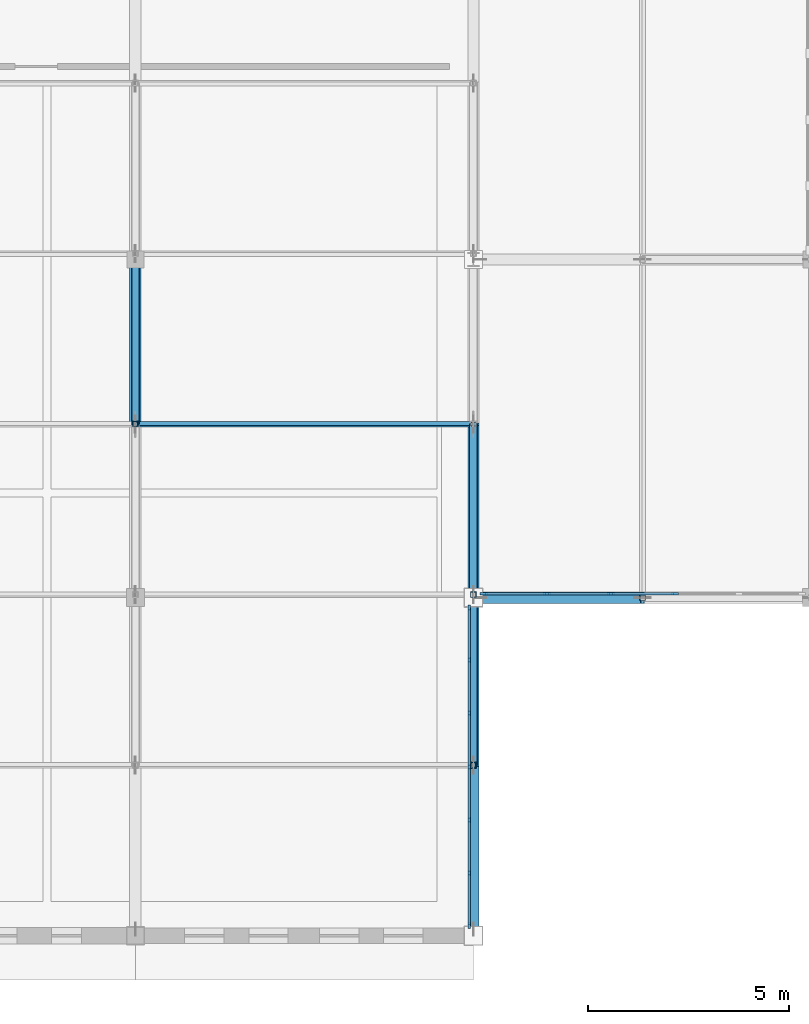
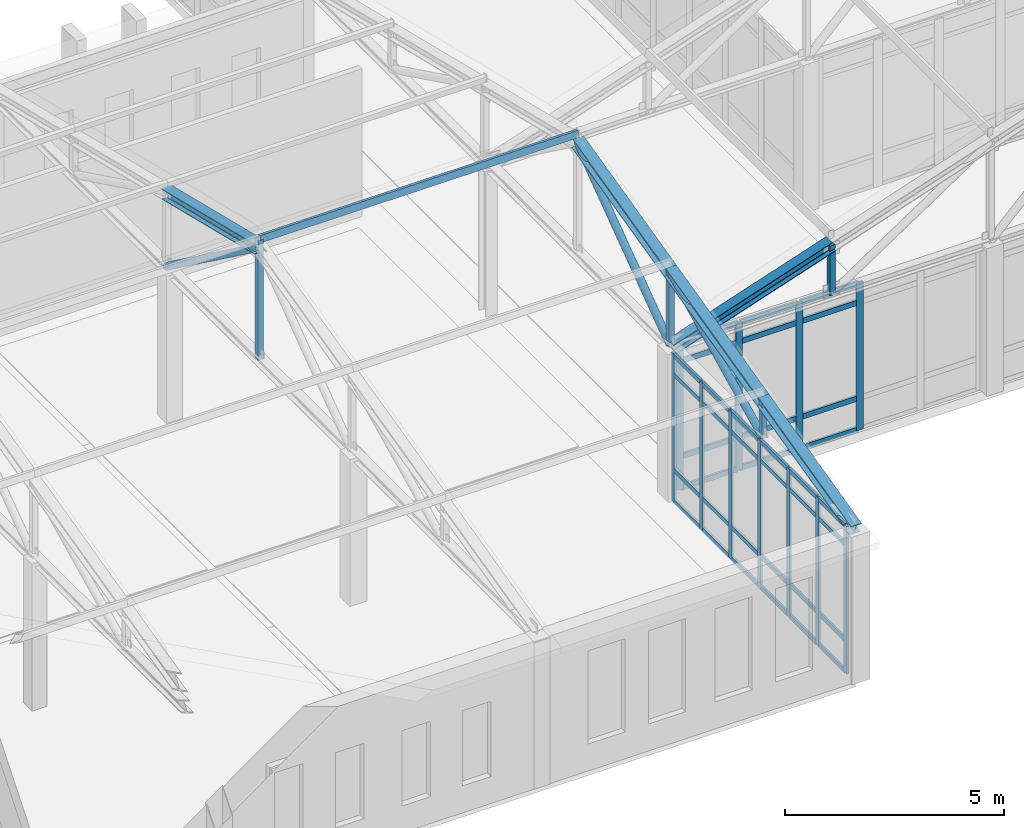
# One storey, part 31 of 192: 60 members, 2 elements without a shape of their own.
"""IFC4 building model written with IfcOpenShell, lengths in metres."""

import ifcopenshell
import ifcopenshell.guid

model = None  # the IFC model being written
_history = None  # IfcOwnerHistory: only IFC2X3 demands one
_inside = {}  # id of a spatial element -> (the spatial element, [elements in it])
_under = {}  # id of a project, library or spatial element -> (it, [spatial elements below it])
_declared = {}  # id of a project -> (the project, [libraries it declares])
_typed = {}  # id of a type object -> (the type object, [elements of that type])
_made_of = {}  # id of a material, layer set ... -> (it, [elements and type objects made of it])


def new_model(schema):
    """Start an empty IFC model of exactly this schema.

    Asked for "IFC4X3", IfcOpenShell would pick the latest addendum, in which some entities
    have other attributes; the version numbers below select the first issue.
    IFC2X3 requires an IfcOwnerHistory on every rooted entity: one is made here for all.
    """
    global model, _history
    if schema == "IFC4X3":
        model = ifcopenshell.file(schema_version=(4, 3, 0, 0))
    else:
        model = ifcopenshell.file(schema=schema)
    _inside.clear()
    _under.clear()
    _declared.clear()
    _typed.clear()
    _made_of.clear()
    _history = None
    if model.schema == "IFC2X3":
        org = make("IfcOrganization", Name="unknown")
        user = make(
            "IfcPersonAndOrganization",
            ThePerson=make("IfcPerson", FamilyName="unknown"),
            TheOrganization=org,
        )
        app = make(
            "IfcApplication",
            ApplicationDeveloper=org,
            Version="unknown",
            ApplicationFullName="unknown",
            ApplicationIdentifier="unknown",
        )
        _history = make(
            "IfcOwnerHistory",
            OwningUser=user,
            OwningApplication=app,
            ChangeAction="ADDED",
            CreationDate=0,
        )
    return model


def make(cls, **values):
    """One entity of the class cls with the attributes given. An attribute that is None is left unset."""
    return model.create_entity(
        cls, **{name: value for name, value in values.items() if value is not None}
    )


def rooted(cls, **values):
    """An entity with a GlobalId (a new one), such as an element, a storey or a relation."""
    return make(cls, GlobalId=ifcopenshell.guid.new(), OwnerHistory=_history, **values)


def si_unit(unit_type, name, prefix=None):
    """IfcSIUnit, for example si_unit("LENGTHUNIT", "METRE", prefix="MILLI")."""
    return make("IfcSIUnit", UnitType=unit_type, Prefix=prefix, Name=name)


def assignment(units):
    """IfcUnitAssignment: the units of a project."""
    return None if units is None else make("IfcUnitAssignment", Units=units)


def point(xyz):
    """IfcCartesianPoint."""
    return None if xyz is None else make("IfcCartesianPoint", Coordinates=xyz)


def direction(xyz):
    """IfcDirection."""
    return None if xyz is None else make("IfcDirection", DirectionRatios=xyz)


def frame(location, z_axis=None, x_axis=None):
    """IfcAxis2Placement3D, a coordinate frame: its origin and axes. An axis left out is left unset."""
    return make(
        "IfcAxis2Placement3D",
        Location=point(location),
        Axis=direction(z_axis),
        RefDirection=direction(x_axis),
    )


def frame_2d(location, x_axis=None):
    """IfcAxis2Placement2D, a coordinate frame in the plane: its origin and x axis."""
    return make(
        "IfcAxis2Placement2D", Location=point(location), RefDirection=direction(x_axis)
    )


def origin():
    """The frame at (0, 0, 0) with its axes left unset."""
    return frame((0.0, 0.0, 0.0))


def origin_2d():
    """The frame at (0, 0) in the plane with its x axis left unset."""
    return frame_2d((0.0, 0.0))


def place(relative_to, where):
    """IfcLocalPlacement: puts the frame where relative to a parent placement (None: the world)."""
    return make(
        "IfcLocalPlacement", PlacementRelTo=relative_to, RelativePlacement=where
    )


def context(
    kind, dimensions, precision=None, world=None, true_north=None, identifier=None
):
    """IfcGeometricRepresentationContext, for example the 3D "Model" context."""
    return make(
        "IfcGeometricRepresentationContext",
        ContextIdentifier=identifier,
        ContextType=kind,
        CoordinateSpaceDimension=dimensions,
        Precision=precision,
        WorldCoordinateSystem=world,
        TrueNorth=true_north,
    )


def subcontext(parent, identifier, kind, view, scale=None):
    """IfcGeometricRepresentationSubContext, for example "Body" below "Model"."""
    return make(
        "IfcGeometricRepresentationSubContext",
        ContextIdentifier=identifier,
        ContextType=kind,
        ParentContext=parent,
        TargetScale=scale,
        TargetView=view,
    )


def project(units=None, contexts=None):
    """IfcProject with its units and contexts."""
    return rooted(
        "IfcProject",
        Name="project",
        RepresentationContexts=contexts,
        UnitsInContext=assignment(units),
    )


def spatial(cls, under=None, at=None, **own):
    """A site, building, storey or space (cls), placed at a placement, below another one or the project."""
    s = rooted(cls, ObjectPlacement=at, **own)
    if under is not None:
        _under.setdefault(under.id(), (under, []))[1].append(s)
    return s


def profile(cls, at=None, kind="AREA", **sizes):
    """A parametric profile (cls). Its sizes go by their IFC names, for example OverallWidth=200.0."""
    return make(cls, ProfileType=kind, Position=at, **sizes)


def rectangle(**sizes):
    """IfcRectangleProfileDef."""
    return profile("IfcRectangleProfileDef", **sizes)


def hollow_rectangle(**sizes):
    """IfcRectangleHollowProfileDef."""
    return profile("IfcRectangleHollowProfileDef", **sizes)


def hollow_circle(**sizes):
    """IfcCircleHollowProfileDef."""
    return profile("IfcCircleHollowProfileDef", **sizes)


def i_section(**sizes):
    """IfcIShapeProfileDef."""
    return profile("IfcIShapeProfileDef", **sizes)


def extrude(swept, where, along, depth):
    """IfcExtrudedAreaSolid: the profile swept, set in the frame where, extruded along a direction by depth."""
    return make(
        "IfcExtrudedAreaSolid",
        SweptArea=swept,
        Position=where,
        ExtrudedDirection=direction(along),
        Depth=depth,
    )


def shape(context_of_items, identifier, shape_type, items):
    """IfcShapeRepresentation: the items that make up one representation, for example the "Body"."""
    return make(
        "IfcShapeRepresentation",
        ContextOfItems=context_of_items,
        RepresentationIdentifier=identifier,
        RepresentationType=shape_type,
        Items=items,
    )


def material(Name=None, Category=None):
    """IfcMaterial."""
    return make("IfcMaterial", Name=Name, Category=Category)


def layer(
    of_material, thickness, ventilated=None, Name=None, Category=None, Priority=None
):
    """IfcMaterialLayer: one layer of a wall or slab, of a material (None: an air gap)."""
    return make(
        "IfcMaterialLayer",
        Material=of_material,
        LayerThickness=thickness,
        IsVentilated=ventilated,
        Name=Name,
        Category=Category,
        Priority=Priority,
    )


def layer_set(layers, Name=None):
    """IfcMaterialLayerSet."""
    return make("IfcMaterialLayerSet", MaterialLayers=layers, LayerSetName=Name)


def material_profile(
    of_material, cross_section, Name=None, Category=None, Priority=None
):
    """IfcMaterialProfile: a cross section and its material."""
    return make(
        "IfcMaterialProfile",
        Name=Name,
        Material=of_material,
        Profile=cross_section,
        Priority=Priority,
        Category=Category,
    )


def profile_set(profiles, Name=None, composite=None):
    """IfcMaterialProfileSet."""
    return make(
        "IfcMaterialProfileSet",
        Name=Name,
        MaterialProfiles=profiles,
        CompositeProfile=composite,
    )


def made_of(thing, what):
    """Note that an element or type object is made of a material, layer set ...; save() writes the relation."""
    if what is not None:
        _made_of.setdefault(what.id(), (what, []))[1].append(thing)
    return thing


def type_object(cls, material=None, **own):
    """A type object (cls), such as IfcWallType, which elements share."""
    return made_of(rooted(cls, **own), material)


def element(
    cls,
    number,
    at=None,
    inside=None,
    cuts=None,
    type_object=None,
    material=None,
    context=None,
    identifier="Body",
    shape_type=None,
    held_by="IfcProductDefinitionShape",
    body=None,
    shapes=None,
    **own,
):
    """One element of the class cls, such as IfcWall. Its Tag is "e" and its number.

    at: its placement. inside: the storey or other place that contains it. cuts: it is an
    opening in that element (IfcRelVoidsElement). A single representation is given by context,
    identifier, shape_type and body (its items); several are given by shapes. held_by: the class
    of the entity that holds the representations. save() writes the other relations.
    """
    e = rooted(cls, Tag="e%d" % number, ObjectPlacement=at, **own)
    if body is not None:
        shapes = [shape(context, identifier, shape_type, body)]
    if shapes is not None:
        e.Representation = make(held_by, Representations=shapes)
    if inside is not None:
        _inside.setdefault(inside.id(), (inside, []))[1].append(e)
    if cuts is not None:
        rooted(
            "IfcRelVoidsElement", RelatingBuildingElement=cuts, RelatedOpeningElement=e
        )
    if type_object is not None:
        _typed.setdefault(type_object.id(), (type_object, []))[1].append(e)
    return made_of(e, material)


def aggregate(whole, parts):
    """IfcRelAggregates: a whole, such as a stair, and the parts it consists of."""
    return rooted("IfcRelAggregates", RelatingObject=whole, RelatedObjects=parts)


def save(model, path):
    """Write the relations noted so far, then the file.

    IfcRelAggregates (storeys below a building ...), IfcRelContainedInSpatialStructure (elements
    in a storey), IfcRelDefinesByType, IfcRelAssociatesMaterial and IfcRelDeclares: one each for
    every whole, place, type object, material and project.
    """
    for whole, parts in _under.values():
        aggregate(whole, parts)
    for where, things in _inside.values():
        rooted(
            "IfcRelContainedInSpatialStructure",
            RelatedElements=things,
            RelatingStructure=where,
        )
    for kind, things in _typed.values():
        rooted("IfcRelDefinesByType", RelatedObjects=things, RelatingType=kind)
    for what, things in _made_of.values():
        rooted("IfcRelAssociatesMaterial", RelatedObjects=things, RelatingMaterial=what)
    for by, libraries in _declared.values():
        rooted("IfcRelDeclares", RelatingContext=by, RelatedDefinitions=libraries)
    model.write(path)


model = new_model("IFC4")

# Units and contexts
model_context = context("Model", 3, precision=1e-05, world=origin(), true_north=direction((0.0, 1.0)))
body_context = subcontext(model_context, "Body", "Model", "MODEL_VIEW")
ifc_project = project(units=[si_unit("LENGTHUNIT", "METRE"), si_unit("AREAUNIT", "SQUARE_METRE"), si_unit("VOLUMEUNIT", "CUBIC_METRE"), si_unit("PLANEANGLEUNIT", "RADIAN"), si_unit("MASSUNIT", "GRAM", prefix="KILO")], contexts=[model_context])

# Site, building, storey
site_placement = place(None, origin())
site = spatial("IfcSite", under=ifc_project, at=site_placement, CompositionType="ELEMENT")
building_placement = place(site_placement, origin())
building = spatial("IfcBuilding", under=site, at=building_placement, Name="Kveldsbrygga Polytechnic", CompositionType="ELEMENT")
storey_placement = place(building_placement, frame((0.0, 0.0, 5.43994140625)))
storey = spatial("IfcBuildingStorey", under=building, at=storey_placement, Name="L01", CompositionType="ELEMENT", Elevation=5.43994140625)

# Curtain wall, members
ifc_material_1 = material(Name="Anodised aluminium AW-6060", Category="aluminium")
ifc_layer_1 = layer(ifc_material_1, 0.179931640625)
ifc_layer_set_1 = layer_set([ifc_layer_1], Name="Anodised aluminium AW-6060")
curtain_wall_type_1 = type_object("IfcCurtainWallType", Name="CW-CONC-A", PredefinedType="USERDEFINED", material=ifc_layer_set_1)
curtain_wall_1_placement = place(storey_placement, origin())
curtain_wall_1 = element("IfcCurtainWall", 1, at=curtain_wall_1_placement, inside=storey, type_object=curtain_wall_type_1, Name="Curtain Wall CW-L01-Y-06-00", ObjectType="UNITISED CURTAIN WALL", PredefinedType="USERDEFINED")
ifc_material_profile_1 = material_profile(ifc_material_1, rectangle(XDim=0.06005859375, YDim=0.139892578125, at=origin_2d()), Name="ALU 60x140")
ifc_profile_set_1 = profile_set([ifc_material_profile_1], Name="Anodised aluminium AW-6060")
member_type_1 = type_object("IfcMemberType", Name="CW-MUL-140", PredefinedType="MULLION", material=ifc_profile_set_1)
member_1_placement = place(storey_placement, frame((50.300048828125, 0.2548828125, 0.0), z_axis=(0.0, 0.0, 1.0), x_axis=(-1.0, 0.0, 0.0)))
member_1 = element("IfcMember", 2, at=member_1_placement, type_object=member_type_1, Name="CW-01 mullion 1", PredefinedType="MULLION", context=body_context, shape_type="SweptSolid", body=[
    extrude(rectangle(XDim=0.06005859375, YDim=0.139892578125, at=origin_2d()), origin(), (0.0, 0.0, 1.0), 4.1201171875),
])
member_2_placement = place(storey_placement, frame((50.300048828125, 1.550048828125, 0.0), z_axis=(0.0, 0.0, 1.0), x_axis=(-1.0, 0.0, 0.0)))
member_2 = element("IfcMember", 3, at=member_2_placement, type_object=member_type_1, Name="CW-01 mullion 2", PredefinedType="MULLION", context=body_context, shape_type="SweptSolid", body=[
    extrude(rectangle(XDim=0.06005859375, YDim=0.139892578125, at=origin_2d()), origin(), (0.0, 0.0, 1.0), 4.1201171875),
])
member_3_placement = place(storey_placement, frame((50.300048828125, 2.875, 0.0), z_axis=(0.0, 0.0, 1.0), x_axis=(-1.0, 0.0, 0.0)))
member_3 = element("IfcMember", 4, at=member_3_placement, type_object=member_type_1, Name="CW-01 mullion 3", PredefinedType="MULLION", context=body_context, shape_type="SweptSolid", body=[
    extrude(rectangle(XDim=0.06005859375, YDim=0.139892578125, at=origin_2d()), origin(), (0.0, 0.0, 1.0), 4.1201171875),
])
member_4_placement = place(storey_placement, frame((50.300048828125, 4.199951171875, 0.0), z_axis=(0.0, 0.0, 1.0), x_axis=(-1.0, 0.0, 0.0)))
member_4 = element("IfcMember", 5, at=member_4_placement, type_object=member_type_1, Name="CW-01 mullion 4", PredefinedType="MULLION", context=body_context, shape_type="SweptSolid", body=[
    extrude(rectangle(XDim=0.06005859375, YDim=0.139892578125, at=origin_2d()), origin(), (0.0, 0.0, 1.0), 4.1201171875),
])
member_5_placement = place(storey_placement, frame((50.300048828125, 5.52490234375, 0.0), z_axis=(0.0, 0.0, 1.0), x_axis=(-1.0, 0.0, 0.0)))
member_5 = element("IfcMember", 6, at=member_5_placement, type_object=member_type_1, Name="CW-01 mullion 5", PredefinedType="MULLION", context=body_context, shape_type="SweptSolid", body=[
    extrude(rectangle(XDim=0.06005859375, YDim=0.139892578125, at=origin_2d()), origin(), (0.0, 0.0, 1.0), 4.1201171875),
])
member_6_placement = place(storey_placement, frame((50.300048828125, 6.85009765625, 0.0), z_axis=(0.0, 0.0, 1.0), x_axis=(-1.0, 0.0, 0.0)))
member_6 = element("IfcMember", 7, at=member_6_placement, type_object=member_type_1, Name="CW-01 mullion 6", PredefinedType="MULLION", context=body_context, shape_type="SweptSolid", body=[
    extrude(rectangle(XDim=0.06005859375, YDim=0.139892578125, at=origin_2d()), origin(), (0.0, 0.0, 1.0), 4.1201171875),
])
member_7_placement = place(storey_placement, frame((50.300048828125, 8.14501953125, 0.0), z_axis=(0.0, 0.0, 1.0), x_axis=(-1.0, 0.0, 0.0)))
member_7 = element("IfcMember", 8, at=member_7_placement, type_object=member_type_1, Name="CW-01 mullion 7", PredefinedType="MULLION", context=body_context, shape_type="SweptSolid", body=[
    extrude(rectangle(XDim=0.06005859375, YDim=0.139892578125, at=origin_2d()), origin(), (0.0, 0.0, 1.0), 4.1201171875),
])

ifc_layer_2 = layer(ifc_material_1, 0.199951171875)
ifc_layer_set_2 = layer_set([ifc_layer_2], Name="Anodised aluminium AW-6060")
curtain_wall_type_2 = type_object("IfcCurtainWallType", Name="CW-CONC-B", PredefinedType="USERDEFINED", material=ifc_layer_set_2)
curtain_wall_2_placement = place(storey_placement, origin())
curtain_wall_2 = element("IfcCurtainWall", 9, at=curtain_wall_2_placement, inside=storey, type_object=curtain_wall_type_2, Name="Curtain Wall CW-L01-X-06-01", ObjectType="UNITISED CURTAIN WALL", PredefinedType="USERDEFINED")
ifc_material_profile_2 = material_profile(ifc_material_1, rectangle(XDim=0.06005859375, YDim=0.179931640625, at=origin_2d()), Name="ALU 60x180")
ifc_profile_set_2 = profile_set([ifc_material_profile_2], Name="Anodised aluminium AW-6060")
member_type_2 = type_object("IfcMemberType", Name="CW-MUL-180", PredefinedType="MULLION", material=ifc_profile_set_2)
member_8_placement = place(storey_placement, frame((50.655029296875, 8.5, 0.0), z_axis=(0.0, 0.0, 1.0), x_axis=(0.0, 1.0, 0.0)))
member_8 = element("IfcMember", 10, at=member_8_placement, type_object=member_type_2, Name="CW-02 mullion 1", PredefinedType="MULLION", context=body_context, shape_type="SweptSolid", body=[
    extrude(rectangle(XDim=0.06005859375, YDim=0.179931640625, at=origin_2d()), origin(), (0.0, 0.0, 1.0), 4.1201171875),
])
member_9_placement = place(storey_placement, frame((52.218017578125, 8.5, 0.0), z_axis=(0.0, 0.0, 1.0), x_axis=(0.0, 1.0, 0.0)))
member_9 = element("IfcMember", 11, at=member_9_placement, type_object=member_type_2, Name="CW-02 mullion 2", PredefinedType="MULLION", context=body_context, shape_type="SweptSolid", body=[
    extrude(rectangle(XDim=0.06005859375, YDim=0.179931640625, at=origin_2d()), origin(), (0.0, 0.0, 1.0), 4.1201171875),
])
member_10_placement = place(storey_placement, frame((53.81103515625, 8.5, 0.0), z_axis=(0.0, 0.0, 1.0), x_axis=(0.0, 1.0, 0.0)))
member_10 = element("IfcMember", 12, at=member_10_placement, type_object=member_type_2, Name="CW-02 mullion 3", PredefinedType="MULLION", context=body_context, shape_type="SweptSolid", body=[
    extrude(rectangle(XDim=0.06005859375, YDim=0.179931640625, at=origin_2d()), origin(), (0.0, 0.0, 1.0), 4.1201171875),
])
member_11_placement = place(storey_placement, frame((55.404052734375, 8.5, 0.0), z_axis=(0.0, 0.0, 1.0), x_axis=(0.0, 1.0, 0.0)))
member_11 = element("IfcMember", 13, at=member_11_placement, type_object=member_type_2, Name="CW-02 mullion 4", PredefinedType="MULLION", context=body_context, shape_type="SweptSolid", body=[
    extrude(rectangle(XDim=0.06005859375, YDim=0.179931640625, at=origin_2d()), origin(), (0.0, 0.0, 1.0), 4.1201171875),
])

# Member
ifc_material_profile_3 = material_profile(ifc_material_1, rectangle(XDim=0.06005859375, YDim=0.1201171875, at=origin_2d()), Name="ALU 60x120")
ifc_profile_set_3 = profile_set([ifc_material_profile_3], Name="Anodised aluminium AW-6060")
member_type_3 = type_object("IfcMemberType", Name="CW-TRN-120", PredefinedType="USERDEFINED", material=ifc_profile_set_3)
member_12_placement = place(storey_placement, frame((50.300048828125, 0.284912109375, 0.030029296875), z_axis=(0.0, 1.0, 0.0), x_axis=(-1.0, 0.0, 0.0)))
member_12 = element("IfcMember", 14, at=member_12_placement, type_object=member_type_3, Name="CW-01 transom 1.1", ObjectType="TRANSOM", PredefinedType="USERDEFINED", context=body_context, shape_type="SweptSolid", body=[
    extrude(rectangle(XDim=0.06005859375, YDim=0.1201171875, at=origin_2d()), origin(), (0.0, 0.0, 1.0), 1.235107421875),
])

member_13_placement = place(storey_placement, frame((50.300048828125, 0.284912109375, 0.900146484375), z_axis=(0.0, 1.0, 0.0), x_axis=(-1.0, 0.0, 0.0)))
member_13 = element("IfcMember", 15, at=member_13_placement, type_object=member_type_3, Name="CW-01 transom 1.2", ObjectType="TRANSOM", PredefinedType="USERDEFINED", context=body_context, shape_type="SweptSolid", body=[
    extrude(rectangle(XDim=0.06005859375, YDim=0.1201171875, at=origin_2d()), origin(), (0.0, 0.0, 1.0), 1.235107421875),
])

member_14_placement = place(storey_placement, frame((50.300048828125, 0.284912109375, 3.570068359375), z_axis=(0.0, 1.0, 0.0), x_axis=(-1.0, 0.0, 0.0)))
member_14 = element("IfcMember", 16, at=member_14_placement, type_object=member_type_3, Name="CW-01 transom 1.3", ObjectType="TRANSOM", PredefinedType="USERDEFINED", context=body_context, shape_type="SweptSolid", body=[
    extrude(rectangle(XDim=0.06005859375, YDim=0.1201171875, at=origin_2d()), origin(), (0.0, 0.0, 1.0), 1.235107421875),
])

member_15_placement = place(storey_placement, frame((50.300048828125, 0.284912109375, 4.090087890625), z_axis=(0.0, 1.0, 0.0), x_axis=(-1.0, 0.0, 0.0)))
member_15 = element("IfcMember", 17, at=member_15_placement, type_object=member_type_3, Name="CW-01 transom 1.4", ObjectType="TRANSOM", PredefinedType="USERDEFINED", context=body_context, shape_type="SweptSolid", body=[
    extrude(rectangle(XDim=0.06005859375, YDim=0.1201171875, at=origin_2d()), origin(), (0.0, 0.0, 1.0), 1.235107421875),
])

member_16_placement = place(storey_placement, frame((50.300048828125, 1.580078125, 0.030029296875), z_axis=(0.0, 1.0, 0.0), x_axis=(-1.0, 0.0, 0.0)))
member_16 = element("IfcMember", 18, at=member_16_placement, type_object=member_type_3, Name="CW-01 transom 2.1", ObjectType="TRANSOM", PredefinedType="USERDEFINED", context=body_context, shape_type="SweptSolid", body=[
    extrude(rectangle(XDim=0.06005859375, YDim=0.1201171875, at=origin_2d()), origin(), (0.0, 0.0, 1.0), 1.264892578125),
])

member_17_placement = place(storey_placement, frame((50.300048828125, 1.580078125, 0.900146484375), z_axis=(0.0, 1.0, 0.0), x_axis=(-1.0, 0.0, 0.0)))
member_17 = element("IfcMember", 19, at=member_17_placement, type_object=member_type_3, Name="CW-01 transom 2.2", ObjectType="TRANSOM", PredefinedType="USERDEFINED", context=body_context, shape_type="SweptSolid", body=[
    extrude(rectangle(XDim=0.06005859375, YDim=0.1201171875, at=origin_2d()), origin(), (0.0, 0.0, 1.0), 1.264892578125),
])

member_18_placement = place(storey_placement, frame((50.300048828125, 1.580078125, 3.570068359375), z_axis=(0.0, 1.0, 0.0), x_axis=(-1.0, 0.0, 0.0)))
member_18 = element("IfcMember", 20, at=member_18_placement, type_object=member_type_3, Name="CW-01 transom 2.3", ObjectType="TRANSOM", PredefinedType="USERDEFINED", context=body_context, shape_type="SweptSolid", body=[
    extrude(rectangle(XDim=0.06005859375, YDim=0.1201171875, at=origin_2d()), origin(), (0.0, 0.0, 1.0), 1.264892578125),
])

member_19_placement = place(storey_placement, frame((50.300048828125, 1.580078125, 4.090087890625), z_axis=(0.0, 1.0, 0.0), x_axis=(-1.0, 0.0, 0.0)))
member_19 = element("IfcMember", 21, at=member_19_placement, type_object=member_type_3, Name="CW-01 transom 2.4", ObjectType="TRANSOM", PredefinedType="USERDEFINED", context=body_context, shape_type="SweptSolid", body=[
    extrude(rectangle(XDim=0.06005859375, YDim=0.1201171875, at=origin_2d()), origin(), (0.0, 0.0, 1.0), 1.264892578125),
])

member_20_placement = place(storey_placement, frame((50.300048828125, 2.905029296875, 0.030029296875), z_axis=(0.0, 1.0, 0.0), x_axis=(-1.0, 0.0, 0.0)))
member_20 = element("IfcMember", 22, at=member_20_placement, type_object=member_type_3, Name="CW-01 transom 3.1", ObjectType="TRANSOM", PredefinedType="USERDEFINED", context=body_context, shape_type="SweptSolid", body=[
    extrude(rectangle(XDim=0.06005859375, YDim=0.1201171875, at=origin_2d()), origin(), (0.0, 0.0, 1.0), 1.264892578125),
])

member_21_placement = place(storey_placement, frame((50.300048828125, 2.905029296875, 0.900146484375), z_axis=(0.0, 1.0, 0.0), x_axis=(-1.0, 0.0, 0.0)))
member_21 = element("IfcMember", 23, at=member_21_placement, type_object=member_type_3, Name="CW-01 transom 3.2", ObjectType="TRANSOM", PredefinedType="USERDEFINED", context=body_context, shape_type="SweptSolid", body=[
    extrude(rectangle(XDim=0.06005859375, YDim=0.1201171875, at=origin_2d()), origin(), (0.0, 0.0, 1.0), 1.264892578125),
])

member_22_placement = place(storey_placement, frame((50.300048828125, 2.905029296875, 3.570068359375), z_axis=(0.0, 1.0, 0.0), x_axis=(-1.0, 0.0, 0.0)))
member_22 = element("IfcMember", 24, at=member_22_placement, type_object=member_type_3, Name="CW-01 transom 3.3", ObjectType="TRANSOM", PredefinedType="USERDEFINED", context=body_context, shape_type="SweptSolid", body=[
    extrude(rectangle(XDim=0.06005859375, YDim=0.1201171875, at=origin_2d()), origin(), (0.0, 0.0, 1.0), 1.264892578125),
])

member_23_placement = place(storey_placement, frame((50.300048828125, 2.905029296875, 4.090087890625), z_axis=(0.0, 1.0, 0.0), x_axis=(-1.0, 0.0, 0.0)))
member_23 = element("IfcMember", 25, at=member_23_placement, type_object=member_type_3, Name="CW-01 transom 3.4", ObjectType="TRANSOM", PredefinedType="USERDEFINED", context=body_context, shape_type="SweptSolid", body=[
    extrude(rectangle(XDim=0.06005859375, YDim=0.1201171875, at=origin_2d()), origin(), (0.0, 0.0, 1.0), 1.264892578125),
])

member_24_placement = place(storey_placement, frame((50.300048828125, 4.22998046875, 0.030029296875), z_axis=(0.0, 1.0, 0.0), x_axis=(-1.0, 0.0, 0.0)))
member_24 = element("IfcMember", 26, at=member_24_placement, type_object=member_type_3, Name="CW-01 transom 4.1", ObjectType="TRANSOM", PredefinedType="USERDEFINED", context=body_context, shape_type="SweptSolid", body=[
    extrude(rectangle(XDim=0.06005859375, YDim=0.1201171875, at=origin_2d()), origin(), (0.0, 0.0, 1.0), 1.26513671875),
])

member_25_placement = place(storey_placement, frame((50.300048828125, 4.22998046875, 0.900146484375), z_axis=(0.0, 1.0, 0.0), x_axis=(-1.0, 0.0, 0.0)))
member_25 = element("IfcMember", 27, at=member_25_placement, type_object=member_type_3, Name="CW-01 transom 4.2", ObjectType="TRANSOM", PredefinedType="USERDEFINED", context=body_context, shape_type="SweptSolid", body=[
    extrude(rectangle(XDim=0.06005859375, YDim=0.1201171875, at=origin_2d()), origin(), (0.0, 0.0, 1.0), 1.26513671875),
])

member_26_placement = place(storey_placement, frame((50.300048828125, 4.22998046875, 3.570068359375), z_axis=(0.0, 1.0, 0.0), x_axis=(-1.0, 0.0, 0.0)))
member_26 = element("IfcMember", 28, at=member_26_placement, type_object=member_type_3, Name="CW-01 transom 4.3", ObjectType="TRANSOM", PredefinedType="USERDEFINED", context=body_context, shape_type="SweptSolid", body=[
    extrude(rectangle(XDim=0.06005859375, YDim=0.1201171875, at=origin_2d()), origin(), (0.0, 0.0, 1.0), 1.26513671875),
])

member_27_placement = place(storey_placement, frame((50.300048828125, 4.22998046875, 4.090087890625), z_axis=(0.0, 1.0, 0.0), x_axis=(-1.0, 0.0, 0.0)))
member_27 = element("IfcMember", 29, at=member_27_placement, type_object=member_type_3, Name="CW-01 transom 4.4", ObjectType="TRANSOM", PredefinedType="USERDEFINED", context=body_context, shape_type="SweptSolid", body=[
    extrude(rectangle(XDim=0.06005859375, YDim=0.1201171875, at=origin_2d()), origin(), (0.0, 0.0, 1.0), 1.26513671875),
])

member_28_placement = place(storey_placement, frame((50.300048828125, 5.554931640625, 0.030029296875), z_axis=(0.0, 1.0, 0.0), x_axis=(-1.0, 0.0, 0.0)))
member_28 = element("IfcMember", 30, at=member_28_placement, type_object=member_type_3, Name="CW-01 transom 5.1", ObjectType="TRANSOM", PredefinedType="USERDEFINED", context=body_context, shape_type="SweptSolid", body=[
    extrude(rectangle(XDim=0.06005859375, YDim=0.1201171875, at=origin_2d()), origin(), (0.0, 0.0, 1.0), 1.26513671875),
])

member_29_placement = place(storey_placement, frame((50.300048828125, 5.554931640625, 0.900146484375), z_axis=(0.0, 1.0, 0.0), x_axis=(-1.0, 0.0, 0.0)))
member_29 = element("IfcMember", 31, at=member_29_placement, type_object=member_type_3, Name="CW-01 transom 5.2", ObjectType="TRANSOM", PredefinedType="USERDEFINED", context=body_context, shape_type="SweptSolid", body=[
    extrude(rectangle(XDim=0.06005859375, YDim=0.1201171875, at=origin_2d()), origin(), (0.0, 0.0, 1.0), 1.26513671875),
])

member_30_placement = place(storey_placement, frame((50.300048828125, 5.554931640625, 3.570068359375), z_axis=(0.0, 1.0, 0.0), x_axis=(-1.0, 0.0, 0.0)))
member_30 = element("IfcMember", 32, at=member_30_placement, type_object=member_type_3, Name="CW-01 transom 5.3", ObjectType="TRANSOM", PredefinedType="USERDEFINED", context=body_context, shape_type="SweptSolid", body=[
    extrude(rectangle(XDim=0.06005859375, YDim=0.1201171875, at=origin_2d()), origin(), (0.0, 0.0, 1.0), 1.26513671875),
])

member_31_placement = place(storey_placement, frame((50.300048828125, 5.554931640625, 4.090087890625), z_axis=(0.0, 1.0, 0.0), x_axis=(-1.0, 0.0, 0.0)))
member_31 = element("IfcMember", 33, at=member_31_placement, type_object=member_type_3, Name="CW-01 transom 5.4", ObjectType="TRANSOM", PredefinedType="USERDEFINED", context=body_context, shape_type="SweptSolid", body=[
    extrude(rectangle(XDim=0.06005859375, YDim=0.1201171875, at=origin_2d()), origin(), (0.0, 0.0, 1.0), 1.26513671875),
])

member_32_placement = place(storey_placement, frame((50.300048828125, 6.8798828125, 0.030029296875), z_axis=(0.0, 1.0, 0.0), x_axis=(-1.0, 0.0, 0.0)))
member_32 = element("IfcMember", 34, at=member_32_placement, type_object=member_type_3, Name="CW-01 transom 6.1", ObjectType="TRANSOM", PredefinedType="USERDEFINED", context=body_context, shape_type="SweptSolid", body=[
    extrude(rectangle(XDim=0.06005859375, YDim=0.1201171875, at=origin_2d()), origin(), (0.0, 0.0, 1.0), 1.235107421875),
])

member_33_placement = place(storey_placement, frame((50.300048828125, 6.8798828125, 0.900146484375), z_axis=(0.0, 1.0, 0.0), x_axis=(-1.0, 0.0, 0.0)))
member_33 = element("IfcMember", 35, at=member_33_placement, type_object=member_type_3, Name="CW-01 transom 6.2", ObjectType="TRANSOM", PredefinedType="USERDEFINED", context=body_context, shape_type="SweptSolid", body=[
    extrude(rectangle(XDim=0.06005859375, YDim=0.1201171875, at=origin_2d()), origin(), (0.0, 0.0, 1.0), 1.235107421875),
])

member_34_placement = place(storey_placement, frame((50.300048828125, 6.8798828125, 3.570068359375), z_axis=(0.0, 1.0, 0.0), x_axis=(-1.0, 0.0, 0.0)))
member_34 = element("IfcMember", 36, at=member_34_placement, type_object=member_type_3, Name="CW-01 transom 6.3", ObjectType="TRANSOM", PredefinedType="USERDEFINED", context=body_context, shape_type="SweptSolid", body=[
    extrude(rectangle(XDim=0.06005859375, YDim=0.1201171875, at=origin_2d()), origin(), (0.0, 0.0, 1.0), 1.235107421875),
])

member_35_placement = place(storey_placement, frame((50.300048828125, 6.8798828125, 4.090087890625), z_axis=(0.0, 1.0, 0.0), x_axis=(-1.0, 0.0, 0.0)))
member_35 = element("IfcMember", 37, at=member_35_placement, type_object=member_type_3, Name="CW-01 transom 6.4", ObjectType="TRANSOM", PredefinedType="USERDEFINED", context=body_context, shape_type="SweptSolid", body=[
    extrude(rectangle(XDim=0.06005859375, YDim=0.1201171875, at=origin_2d()), origin(), (0.0, 0.0, 1.0), 1.235107421875),
])

aggregate(curtain_wall_1, [member_1, member_2, member_3, member_4, member_5, member_6, member_7, member_12, member_13, member_14, member_15, member_16, member_17, member_18, member_19, member_20, member_21, member_22, member_23, member_24, member_25, member_26, member_27, member_28, member_29, member_30, member_31, member_32, member_33, member_34, member_35])

ifc_material_profile_4 = material_profile(ifc_material_1, rectangle(XDim=0.06005859375, YDim=0.14990234375, at=origin_2d()), Name="ALU 60x150")
ifc_profile_set_4 = profile_set([ifc_material_profile_4], Name="Anodised aluminium AW-6060")
member_type_4 = type_object("IfcMemberType", Name="CW-TRN-150", PredefinedType="USERDEFINED", material=ifc_profile_set_4)
member_36_placement = place(storey_placement, frame((50.68505859375, 8.5, 0.030029296875), z_axis=(1.0, 0.0, 0.0), x_axis=(0.0, 1.0, 0.0)))
member_36 = element("IfcMember", 38, at=member_36_placement, type_object=member_type_4, Name="CW-02 transom 1.1", ObjectType="TRANSOM", PredefinedType="USERDEFINED", context=body_context, shape_type="SweptSolid", body=[
    extrude(rectangle(XDim=0.06005859375, YDim=0.14990234375, at=origin_2d()), origin(), (0.0, 0.0, 1.0), 1.5029296875),
])

member_37_placement = place(storey_placement, frame((50.68505859375, 8.5, 0.900146484375), z_axis=(1.0, 0.0, 0.0), x_axis=(0.0, 1.0, 0.0)))
member_37 = element("IfcMember", 39, at=member_37_placement, type_object=member_type_4, Name="CW-02 transom 1.2", ObjectType="TRANSOM", PredefinedType="USERDEFINED", context=body_context, shape_type="SweptSolid", body=[
    extrude(rectangle(XDim=0.06005859375, YDim=0.14990234375, at=origin_2d()), origin(), (0.0, 0.0, 1.0), 1.5029296875),
])

member_38_placement = place(storey_placement, frame((50.68505859375, 8.5, 3.570068359375), z_axis=(1.0, 0.0, 0.0), x_axis=(0.0, 1.0, 0.0)))
member_38 = element("IfcMember", 40, at=member_38_placement, type_object=member_type_4, Name="CW-02 transom 1.3", ObjectType="TRANSOM", PredefinedType="USERDEFINED", context=body_context, shape_type="SweptSolid", body=[
    extrude(rectangle(XDim=0.06005859375, YDim=0.14990234375, at=origin_2d()), origin(), (0.0, 0.0, 1.0), 1.5029296875),
])

member_39_placement = place(storey_placement, frame((50.68505859375, 8.5, 4.090087890625), z_axis=(1.0, 0.0, 0.0), x_axis=(0.0, 1.0, 0.0)))
member_39 = element("IfcMember", 41, at=member_39_placement, type_object=member_type_4, Name="CW-02 transom 1.4", ObjectType="TRANSOM", PredefinedType="USERDEFINED", context=body_context, shape_type="SweptSolid", body=[
    extrude(rectangle(XDim=0.06005859375, YDim=0.14990234375, at=origin_2d()), origin(), (0.0, 0.0, 1.0), 1.5029296875),
])

member_40_placement = place(storey_placement, frame((52.248046875, 8.5, 0.030029296875), z_axis=(1.0, 0.0, 0.0), x_axis=(0.0, 1.0, 0.0)))
member_40 = element("IfcMember", 42, at=member_40_placement, type_object=member_type_4, Name="CW-02 transom 2.1", ObjectType="TRANSOM", PredefinedType="USERDEFINED", context=body_context, shape_type="SweptSolid", body=[
    extrude(rectangle(XDim=0.06005859375, YDim=0.14990234375, at=origin_2d()), origin(), (0.0, 0.0, 1.0), 1.532958984375),
])

member_41_placement = place(storey_placement, frame((52.248046875, 8.5, 0.900146484375), z_axis=(1.0, 0.0, 0.0), x_axis=(0.0, 1.0, 0.0)))
member_41 = element("IfcMember", 43, at=member_41_placement, type_object=member_type_4, Name="CW-02 transom 2.2", ObjectType="TRANSOM", PredefinedType="USERDEFINED", context=body_context, shape_type="SweptSolid", body=[
    extrude(rectangle(XDim=0.06005859375, YDim=0.14990234375, at=origin_2d()), origin(), (0.0, 0.0, 1.0), 1.532958984375),
])

member_42_placement = place(storey_placement, frame((52.248046875, 8.5, 3.570068359375), z_axis=(1.0, 0.0, 0.0), x_axis=(0.0, 1.0, 0.0)))
member_42 = element("IfcMember", 44, at=member_42_placement, type_object=member_type_4, Name="CW-02 transom 2.3", ObjectType="TRANSOM", PredefinedType="USERDEFINED", context=body_context, shape_type="SweptSolid", body=[
    extrude(rectangle(XDim=0.06005859375, YDim=0.14990234375, at=origin_2d()), origin(), (0.0, 0.0, 1.0), 1.532958984375),
])

member_43_placement = place(storey_placement, frame((52.248046875, 8.5, 4.090087890625), z_axis=(1.0, 0.0, 0.0), x_axis=(0.0, 1.0, 0.0)))
member_43 = element("IfcMember", 45, at=member_43_placement, type_object=member_type_4, Name="CW-02 transom 2.4", ObjectType="TRANSOM", PredefinedType="USERDEFINED", context=body_context, shape_type="SweptSolid", body=[
    extrude(rectangle(XDim=0.06005859375, YDim=0.14990234375, at=origin_2d()), origin(), (0.0, 0.0, 1.0), 1.532958984375),
])

member_44_placement = place(storey_placement, frame((53.841064453125, 8.5, 0.030029296875), z_axis=(1.0, 0.0, 0.0), x_axis=(0.0, 1.0, 0.0)))
member_44 = element("IfcMember", 46, at=member_44_placement, type_object=member_type_4, Name="CW-02 transom 3.1", ObjectType="TRANSOM", PredefinedType="USERDEFINED", context=body_context, shape_type="SweptSolid", body=[
    extrude(rectangle(XDim=0.06005859375, YDim=0.14990234375, at=origin_2d()), origin(), (0.0, 0.0, 1.0), 1.532958984375),
])

member_45_placement = place(storey_placement, frame((53.841064453125, 8.5, 0.900146484375), z_axis=(1.0, 0.0, 0.0), x_axis=(0.0, 1.0, 0.0)))
member_45 = element("IfcMember", 47, at=member_45_placement, type_object=member_type_4, Name="CW-02 transom 3.2", ObjectType="TRANSOM", PredefinedType="USERDEFINED", context=body_context, shape_type="SweptSolid", body=[
    extrude(rectangle(XDim=0.06005859375, YDim=0.14990234375, at=origin_2d()), origin(), (0.0, 0.0, 1.0), 1.532958984375),
])

member_46_placement = place(storey_placement, frame((53.841064453125, 8.5, 3.570068359375), z_axis=(1.0, 0.0, 0.0), x_axis=(0.0, 1.0, 0.0)))
member_46 = element("IfcMember", 48, at=member_46_placement, type_object=member_type_4, Name="CW-02 transom 3.3", ObjectType="TRANSOM", PredefinedType="USERDEFINED", context=body_context, shape_type="SweptSolid", body=[
    extrude(rectangle(XDim=0.06005859375, YDim=0.14990234375, at=origin_2d()), origin(), (0.0, 0.0, 1.0), 1.532958984375),
])

member_47_placement = place(storey_placement, frame((53.841064453125, 8.5, 4.090087890625), z_axis=(1.0, 0.0, 0.0), x_axis=(0.0, 1.0, 0.0)))
member_47 = element("IfcMember", 49, at=member_47_placement, type_object=member_type_4, Name="CW-02 transom 3.4", ObjectType="TRANSOM", PredefinedType="USERDEFINED", context=body_context, shape_type="SweptSolid", body=[
    extrude(rectangle(XDim=0.06005859375, YDim=0.14990234375, at=origin_2d()), origin(), (0.0, 0.0, 1.0), 1.532958984375),
])

aggregate(curtain_wall_2, [member_8, member_9, member_10, member_11, member_36, member_37, member_38, member_39, member_40, member_41, member_42, member_43, member_44, member_45, member_46, member_47])

# Members
ifc_material_2 = material(Name="Steel S355", Category="steel")
ifc_material_profile_5 = material_profile(ifc_material_2, hollow_rectangle(XDim=0.10009765625, YDim=0.179931640625, WallThickness=0.008056640625, at=origin_2d()), Name="RHS 180x100x8.0")
ifc_profile_set_5 = profile_set([ifc_material_profile_5], Name="Steel S355")
member_type_5 = type_object("IfcMemberType", Name="PRL-RHS180", PredefinedType="PURLIN", material=ifc_profile_set_5)
member_48_placement = place(storey_placement, frame((42.0, 12.7099609375, 7.456787109375), z_axis=(1.0, 0.0, 0.0), x_axis=(0.0, 0.971520177509, -0.236956841415)))
element("IfcMember", 50, at=member_48_placement, inside=storey, type_object=member_type_5, Name="Roof Purlin V5S-PRL-6-3", PredefinedType="PURLIN", context=body_context, shape_type="SweptSolid", body=[
    extrude(hollow_rectangle(XDim=0.10009765625, YDim=0.179931640625, WallThickness=0.008056640625, at=origin_2d()), origin(), (0.0, 0.0, 1.0), 8.39990234375),
])
ifc_material_profile_6 = material_profile(ifc_material_2, hollow_circle(Radius=0.096923828125, WallThickness=0.010009765625, at=origin_2d()), Name="CHS 193.7x10.0")
ifc_profile_set_6 = profile_set([ifc_material_profile_6], Name="Steel S355")
member_type_6 = type_object("IfcMemberType", Name="TR-DIAG-CHS194", PredefinedType="BRACE", material=ifc_profile_set_6)
member_49_placement = place(storey_placement, frame((42.0, 12.7099609375, 7.219970703125), z_axis=(0.0, 0.807053568691, -0.590478227594), x_axis=(-1.0, 0.0, 0.0)))
element("IfcMember", 51, at=member_49_placement, inside=storey, type_object=member_type_6, Name="Truss Diagonal V5S-T06-DG-4", PredefinedType="BRACE", context=body_context, shape_type="SweptSolid", body=[
    extrude(hollow_circle(Radius=0.096923828125, WallThickness=0.010009765625, at=origin_2d()), origin(), (0.0, 0.0, 1.0), 5.249755859375),
])
member_50_placement = place(storey_placement, frame((50.39990234375, 4.236572265625, 4.1201171875), z_axis=(0.0, 0.898775911737, 0.438408326199), x_axis=(-1.0, 0.0, 0.0)))
element("IfcMember", 52, at=member_50_placement, inside=storey, type_object=member_type_6, Name="Truss Diagonal V5S-T07-DG-2", PredefinedType="BRACE", context=body_context, shape_type="SweptSolid", body=[
    extrude(hollow_circle(Radius=0.096923828125, WallThickness=0.010009765625, at=origin_2d()), origin(), (0.0, 0.0, 1.0), 4.7138671875),
])
member_51_placement = place(storey_placement, frame((50.39990234375, 8.473388671875, 4.1201171875), z_axis=(0.0, 0.807037353017, 0.590500390207), x_axis=(-1.0, 0.0, 0.0)))
element("IfcMember", 53, at=member_51_placement, inside=storey, type_object=member_type_6, Name="Truss Diagonal V5S-T07-DG-3", PredefinedType="BRACE", context=body_context, shape_type="SweptSolid", body=[
    extrude(hollow_circle(Radius=0.096923828125, WallThickness=0.010009765625, at=origin_2d()), origin(), (0.0, 0.0, 1.0), 5.24951171875),
])
ifc_material_profile_7 = material_profile(ifc_material_2, hollow_rectangle(XDim=0.139892578125, YDim=0.139892578125, WallThickness=0.008056640625, at=origin_2d()), Name="SHS 140x140x8.0")
ifc_profile_set_7 = profile_set([ifc_material_profile_7], Name="Steel S355")
member_type_7 = type_object("IfcMemberType", Name="TR-POST-SHS140", PredefinedType="STRUT", material=ifc_profile_set_7)
member_52_placement = place(storey_placement, frame((42.0, 12.7099609375, 4.1201171875), z_axis=(0.0, 0.0, 1.0), x_axis=(1.0, 0.0, 0.0)))
element("IfcMember", 54, at=member_52_placement, inside=storey, type_object=member_type_7, Name="Truss Vertical V5S-T06-VT-3", PredefinedType="STRUT", context=body_context, shape_type="SweptSolid", body=[
    extrude(hollow_rectangle(XDim=0.139892578125, YDim=0.139892578125, WallThickness=0.008056640625, at=origin_2d()), origin(), (0.0, 0.0, 1.0), 3.336669921875),
])
member_53_placement = place(storey_placement, frame((50.39990234375, 4.236572265625, 4.1201171875), z_axis=(0.0, 0.0, 1.0), x_axis=(1.0, 0.0, 0.0)))
element("IfcMember", 55, at=member_53_placement, inside=storey, type_object=member_type_7, Name="Truss Vertical V5S-T07-VT-1", PredefinedType="STRUT", context=body_context, shape_type="SweptSolid", body=[
    extrude(hollow_rectangle(XDim=0.139892578125, YDim=0.139892578125, WallThickness=0.008056640625, at=origin_2d()), origin(), (0.0, 0.0, 1.0), 1.033203125),
])
member_54_placement = place(storey_placement, frame((50.39990234375, 8.473388671875, 4.1201171875), z_axis=(0.0, 0.0, 1.0), x_axis=(1.0, 0.0, 0.0)))
element("IfcMember", 56, at=member_54_placement, inside=storey, type_object=member_type_7, Name="Truss Vertical V5S-T07-VT-2", PredefinedType="STRUT", context=body_context, shape_type="SweptSolid", body=[
    extrude(hollow_rectangle(XDim=0.139892578125, YDim=0.139892578125, WallThickness=0.008056640625, at=origin_2d()), origin(), (0.0, 0.0, 1.0), 2.066650390625),
])
member_55_placement = place(storey_placement, frame((54.60009765625, 8.39990234375, 4.1201171875), z_axis=(0.0, 0.0, 1.0), x_axis=(1.0, 0.0, 0.0)))
element("IfcMember", 57, at=member_55_placement, inside=storey, type_object=member_type_7, Name="Truss Vertical V5C-T01-VT-1", PredefinedType="STRUT", context=body_context, shape_type="SweptSolid", body=[
    extrude(hollow_rectangle(XDim=0.139892578125, YDim=0.139892578125, WallThickness=0.008056640625, at=origin_2d()), origin(), (0.0, 0.0, 1.0), 1.39990234375),
])
ifc_material_profile_8 = material_profile(ifc_material_2, i_section(OverallWidth=0.280029296875, OverallDepth=0.280029296875, WebThickness=0.010498046875, FlangeThickness=0.01806640625, FilletRadius=0.02392578125, at=origin_2d()), Name="HEB 280")
ifc_profile_set_8 = profile_set([ifc_material_profile_8], Name="Steel S355")
member_type_8 = type_object("IfcMemberType", Name="TR-TOP-HEB280", PredefinedType="CHORD", material=ifc_profile_set_8)
member_56_placement = place(storey_placement, frame((42.0, 12.7099609375, 7.219970703125), z_axis=(0.0, 0.971529139484, -0.236920094405), x_axis=(-1.0, 0.0, 0.0)))
element("IfcMember", 58, at=member_56_placement, inside=storey, type_object=member_type_8, Name="Truss Top Chord V5S-T06-TC-4", PredefinedType="CHORD", context=body_context, shape_type="SweptSolid", body=[
    extrude(i_section(OverallWidth=0.280029296875, OverallDepth=0.280029296875, WebThickness=0.010498046875, FlangeThickness=0.01806640625, FilletRadius=0.02392578125, at=origin_2d()), origin(), (0.0, 0.0, 1.0), 4.361083984375),
])
member_57_placement = place(storey_placement, frame((50.39990234375, 0.0, 4.1201171875), z_axis=(0.0, 0.971525996838, 0.236932980961), x_axis=(-1.0, 0.0, 0.0)))
element("IfcMember", 59, at=member_57_placement, inside=storey, type_object=member_type_8, Name="Truss Top Chord V5S-T07-TC-1", PredefinedType="CHORD", context=body_context, shape_type="SweptSolid", body=[
    extrude(i_section(OverallWidth=0.280029296875, OverallDepth=0.280029296875, WebThickness=0.010498046875, FlangeThickness=0.01806640625, FilletRadius=0.02392578125, at=origin_2d()), origin(), (0.0, 0.0, 1.0), 4.36083984375),
])
member_58_placement = place(storey_placement, frame((50.39990234375, 4.236572265625, 5.1533203125), z_axis=(0.0, 0.971516252342, 0.236972933973), x_axis=(-1.0, 0.0, 0.0)))
element("IfcMember", 60, at=member_58_placement, inside=storey, type_object=member_type_8, Name="Truss Top Chord V5S-T07-TC-2", PredefinedType="CHORD", context=body_context, shape_type="SweptSolid", body=[
    extrude(i_section(OverallWidth=0.280029296875, OverallDepth=0.280029296875, WebThickness=0.010498046875, FlangeThickness=0.01806640625, FilletRadius=0.02392578125, at=origin_2d()), origin(), (0.0, 0.0, 1.0), 4.361083984375),
])
member_59_placement = place(storey_placement, frame((50.39990234375, 8.473388671875, 6.186767578125), z_axis=(0.0, 0.971525996838, 0.236932980961), x_axis=(-1.0, 0.0, 0.0)))
element("IfcMember", 61, at=member_59_placement, inside=storey, type_object=member_type_8, Name="Truss Top Chord V5S-T07-TC-3", PredefinedType="CHORD", context=body_context, shape_type="SweptSolid", body=[
    extrude(i_section(OverallWidth=0.280029296875, OverallDepth=0.280029296875, WebThickness=0.010498046875, FlangeThickness=0.01806640625, FilletRadius=0.02392578125, at=origin_2d()), origin(), (0.0, 0.0, 1.0), 4.36083984375),
])
member_60_placement = place(storey_placement, frame((50.39990234375, 8.39990234375, 4.1201171875), z_axis=(0.948694326238, 0.0, 0.316194679531), x_axis=(0.0, 1.0, 0.0)))
element("IfcMember", 62, at=member_60_placement, inside=storey, type_object=member_type_8, Name="Truss Top Chord V5C-T01-TC-1", PredefinedType="CHORD", context=body_context, shape_type="SweptSolid", body=[
    extrude(i_section(OverallWidth=0.280029296875, OverallDepth=0.280029296875, WebThickness=0.010498046875, FlangeThickness=0.01806640625, FilletRadius=0.02392578125, at=origin_2d()), origin(), (0.0, 0.0, 1.0), 4.42724609375),
])

save(model, "model.ifc")
